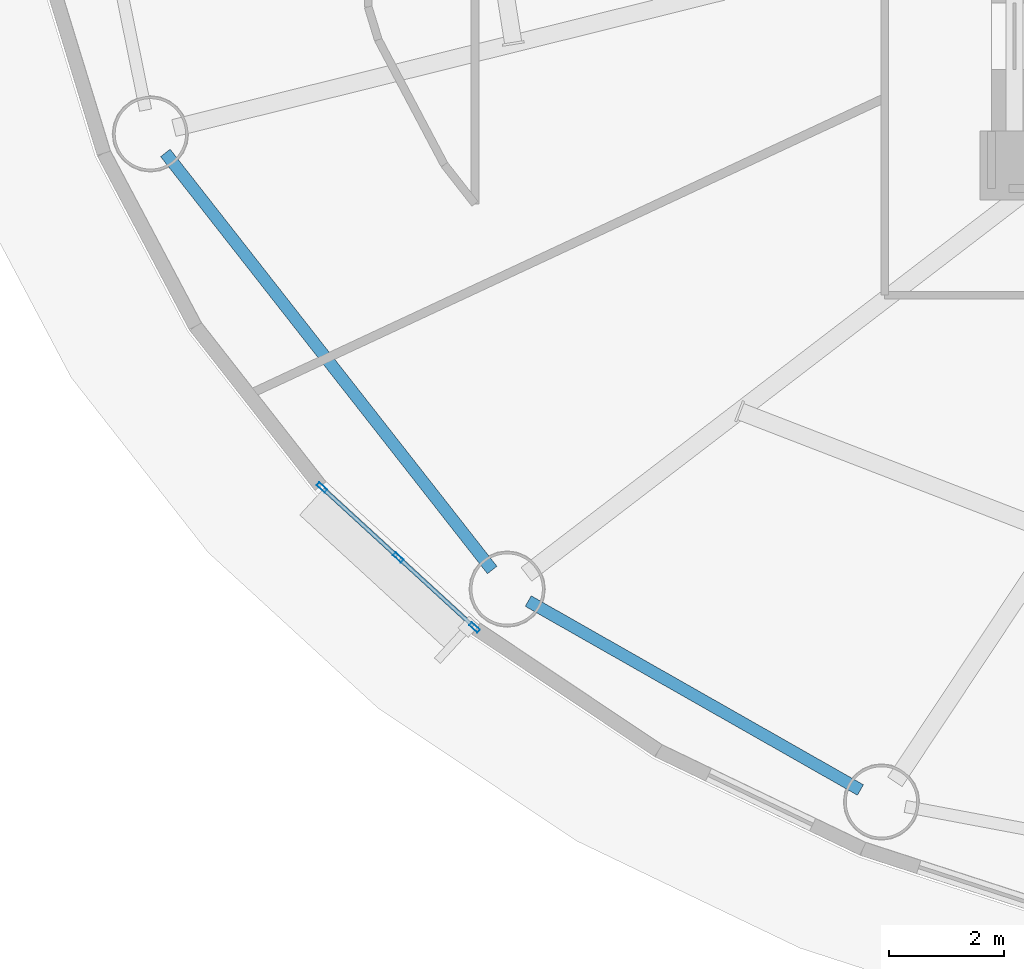
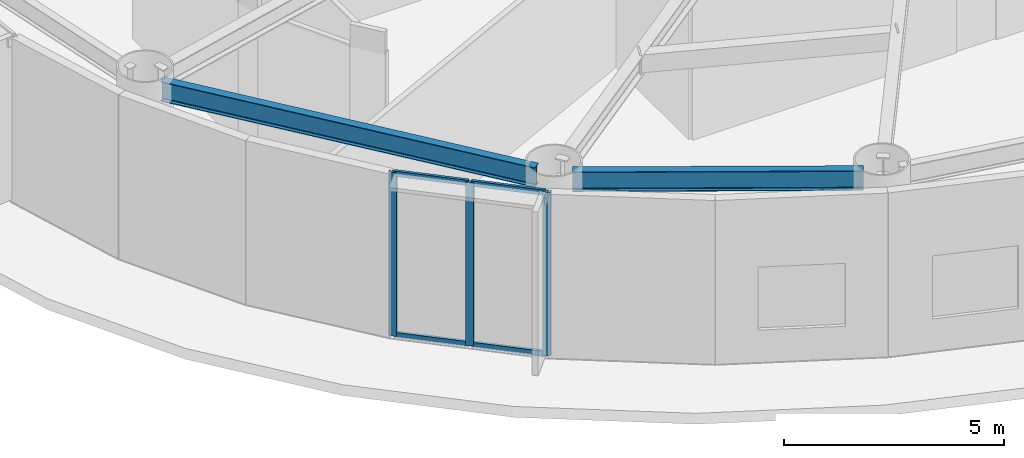
# One storey, part 4 of 38: 7 members, 2 beams, 1 element without a shape of its own.
"""IFC4 building model written with IfcOpenShell, lengths in metres."""

import ifcopenshell
import ifcopenshell.guid

model = None  # the IFC model being written
_history = None  # IfcOwnerHistory: only IFC2X3 demands one
_inside = {}  # id of a spatial element -> (the spatial element, [elements in it])
_under = {}  # id of a project, library or spatial element -> (it, [spatial elements below it])
_declared = {}  # id of a project -> (the project, [libraries it declares])
_typed = {}  # id of a type object -> (the type object, [elements of that type])
_made_of = {}  # id of a material, layer set ... -> (it, [elements and type objects made of it])


def new_model(schema):
    """Start an empty IFC model of exactly this schema.

    Asked for "IFC4X3", IfcOpenShell would pick the latest addendum, in which some entities
    have other attributes; the version numbers below select the first issue.
    IFC2X3 requires an IfcOwnerHistory on every rooted entity: one is made here for all.
    """
    global model, _history
    if schema == "IFC4X3":
        model = ifcopenshell.file(schema_version=(4, 3, 0, 0))
    else:
        model = ifcopenshell.file(schema=schema)
    _inside.clear()
    _under.clear()
    _declared.clear()
    _typed.clear()
    _made_of.clear()
    _history = None
    if model.schema == "IFC2X3":
        org = make("IfcOrganization", Name="unknown")
        user = make(
            "IfcPersonAndOrganization",
            ThePerson=make("IfcPerson", FamilyName="unknown"),
            TheOrganization=org,
        )
        app = make(
            "IfcApplication",
            ApplicationDeveloper=org,
            Version="unknown",
            ApplicationFullName="unknown",
            ApplicationIdentifier="unknown",
        )
        _history = make(
            "IfcOwnerHistory",
            OwningUser=user,
            OwningApplication=app,
            ChangeAction="ADDED",
            CreationDate=0,
        )
    return model


def make(cls, **values):
    """One entity of the class cls with the attributes given. An attribute that is None is left unset."""
    return model.create_entity(
        cls, **{name: value for name, value in values.items() if value is not None}
    )


def rooted(cls, **values):
    """An entity with a GlobalId (a new one), such as an element, a storey or a relation."""
    return make(cls, GlobalId=ifcopenshell.guid.new(), OwnerHistory=_history, **values)


def si_unit(unit_type, name, prefix=None):
    """IfcSIUnit, for example si_unit("LENGTHUNIT", "METRE", prefix="MILLI")."""
    return make("IfcSIUnit", UnitType=unit_type, Prefix=prefix, Name=name)


def assignment(units):
    """IfcUnitAssignment: the units of a project."""
    return None if units is None else make("IfcUnitAssignment", Units=units)


def point(xyz):
    """IfcCartesianPoint."""
    return None if xyz is None else make("IfcCartesianPoint", Coordinates=xyz)


def direction(xyz):
    """IfcDirection."""
    return None if xyz is None else make("IfcDirection", DirectionRatios=xyz)


def frame(location, z_axis=None, x_axis=None):
    """IfcAxis2Placement3D, a coordinate frame: its origin and axes. An axis left out is left unset."""
    return make(
        "IfcAxis2Placement3D",
        Location=point(location),
        Axis=direction(z_axis),
        RefDirection=direction(x_axis),
    )


def frame_2d(location, x_axis=None):
    """IfcAxis2Placement2D, a coordinate frame in the plane: its origin and x axis."""
    return make(
        "IfcAxis2Placement2D", Location=point(location), RefDirection=direction(x_axis)
    )


def origin():
    """The frame at (0, 0, 0) with its axes left unset."""
    return frame((0.0, 0.0, 0.0))


def origin_2d():
    """The frame at (0, 0) in the plane with its x axis left unset."""
    return frame_2d((0.0, 0.0))


def place(relative_to, where):
    """IfcLocalPlacement: puts the frame where relative to a parent placement (None: the world)."""
    return make(
        "IfcLocalPlacement", PlacementRelTo=relative_to, RelativePlacement=where
    )


def context(
    kind, dimensions, precision=None, world=None, true_north=None, identifier=None
):
    """IfcGeometricRepresentationContext, for example the 3D "Model" context."""
    return make(
        "IfcGeometricRepresentationContext",
        ContextIdentifier=identifier,
        ContextType=kind,
        CoordinateSpaceDimension=dimensions,
        Precision=precision,
        WorldCoordinateSystem=world,
        TrueNorth=true_north,
    )


def subcontext(parent, identifier, kind, view, scale=None):
    """IfcGeometricRepresentationSubContext, for example "Body" below "Model"."""
    return make(
        "IfcGeometricRepresentationSubContext",
        ContextIdentifier=identifier,
        ContextType=kind,
        ParentContext=parent,
        TargetScale=scale,
        TargetView=view,
    )


def project(units=None, contexts=None):
    """IfcProject with its units and contexts."""
    return rooted(
        "IfcProject",
        Name="project",
        RepresentationContexts=contexts,
        UnitsInContext=assignment(units),
    )


def spatial(cls, under=None, at=None, **own):
    """A site, building, storey or space (cls), placed at a placement, below another one or the project."""
    s = rooted(cls, ObjectPlacement=at, **own)
    if under is not None:
        _under.setdefault(under.id(), (under, []))[1].append(s)
    return s


def profile(cls, at=None, kind="AREA", **sizes):
    """A parametric profile (cls). Its sizes go by their IFC names, for example OverallWidth=200.0."""
    return make(cls, ProfileType=kind, Position=at, **sizes)


def hollow_rectangle(**sizes):
    """IfcRectangleHollowProfileDef."""
    return profile("IfcRectangleHollowProfileDef", **sizes)


def i_section(**sizes):
    """IfcIShapeProfileDef."""
    return profile("IfcIShapeProfileDef", **sizes)


def extrude(swept, where, along, depth):
    """IfcExtrudedAreaSolid: the profile swept, set in the frame where, extruded along a direction by depth."""
    return make(
        "IfcExtrudedAreaSolid",
        SweptArea=swept,
        Position=where,
        ExtrudedDirection=direction(along),
        Depth=depth,
    )


def shape(context_of_items, identifier, shape_type, items):
    """IfcShapeRepresentation: the items that make up one representation, for example the "Body"."""
    return make(
        "IfcShapeRepresentation",
        ContextOfItems=context_of_items,
        RepresentationIdentifier=identifier,
        RepresentationType=shape_type,
        Items=items,
    )


def source(mapping_origin, context_of_items, identifier, shape_type, items):
    """IfcRepresentationMap: a shape defined once, which mapped items show again and again."""
    return make(
        "IfcRepresentationMap",
        MappingOrigin=mapping_origin,
        MappedRepresentation=shape(context_of_items, identifier, shape_type, items),
    )


def transform(
    local_origin,
    x_axis=None,
    y_axis=None,
    z_axis=None,
    scale=None,
    scale2=None,
    scale3=None,
    uniform=True,
):
    """IfcCartesianTransformationOperator3D, or its non-uniform kind. x_axis, y_axis, z_axis: its Axis1, 2, 3."""
    if uniform:
        return make(
            "IfcCartesianTransformationOperator3D",
            Axis1=direction(x_axis),
            Axis2=direction(y_axis),
            LocalOrigin=point(local_origin),
            Scale=scale,
            Axis3=direction(z_axis),
        )
    return make(
        "IfcCartesianTransformationOperator3DnonUniform",
        Axis1=direction(x_axis),
        Axis2=direction(y_axis),
        LocalOrigin=point(local_origin),
        Scale=scale,
        Axis3=direction(z_axis),
        Scale2=scale2,
        Scale3=scale3,
    )


def mapped(mapping_source, mapping_target):
    """IfcMappedItem: shows the shape of a source again, moved by a transform."""
    return make(
        "IfcMappedItem", MappingSource=mapping_source, MappingTarget=mapping_target
    )


def material(Name=None, Category=None):
    """IfcMaterial."""
    return make("IfcMaterial", Name=Name, Category=Category)


def layer(
    of_material, thickness, ventilated=None, Name=None, Category=None, Priority=None
):
    """IfcMaterialLayer: one layer of a wall or slab, of a material (None: an air gap)."""
    return make(
        "IfcMaterialLayer",
        Material=of_material,
        LayerThickness=thickness,
        IsVentilated=ventilated,
        Name=Name,
        Category=Category,
        Priority=Priority,
    )


def layer_set(layers, Name=None):
    """IfcMaterialLayerSet."""
    return make("IfcMaterialLayerSet", MaterialLayers=layers, LayerSetName=Name)


def material_profile(
    of_material, cross_section, Name=None, Category=None, Priority=None
):
    """IfcMaterialProfile: a cross section and its material."""
    return make(
        "IfcMaterialProfile",
        Name=Name,
        Material=of_material,
        Profile=cross_section,
        Priority=Priority,
        Category=Category,
    )


def profile_set(profiles, Name=None, composite=None):
    """IfcMaterialProfileSet."""
    return make(
        "IfcMaterialProfileSet",
        Name=Name,
        MaterialProfiles=profiles,
        CompositeProfile=composite,
    )


def made_of(thing, what):
    """Note that an element or type object is made of a material, layer set ...; save() writes the relation."""
    if what is not None:
        _made_of.setdefault(what.id(), (what, []))[1].append(thing)
    return thing


def type_object(cls, material=None, **own):
    """A type object (cls), such as IfcWallType, which elements share."""
    return made_of(rooted(cls, **own), material)


def element(
    cls,
    number,
    at=None,
    inside=None,
    cuts=None,
    type_object=None,
    material=None,
    context=None,
    identifier="Body",
    shape_type=None,
    held_by="IfcProductDefinitionShape",
    body=None,
    shapes=None,
    **own,
):
    """One element of the class cls, such as IfcWall. Its Tag is "e" and its number.

    at: its placement. inside: the storey or other place that contains it. cuts: it is an
    opening in that element (IfcRelVoidsElement). A single representation is given by context,
    identifier, shape_type and body (its items); several are given by shapes. held_by: the class
    of the entity that holds the representations. save() writes the other relations.
    """
    e = rooted(cls, Tag="e%d" % number, ObjectPlacement=at, **own)
    if body is not None:
        shapes = [shape(context, identifier, shape_type, body)]
    if shapes is not None:
        e.Representation = make(held_by, Representations=shapes)
    if inside is not None:
        _inside.setdefault(inside.id(), (inside, []))[1].append(e)
    if cuts is not None:
        rooted(
            "IfcRelVoidsElement", RelatingBuildingElement=cuts, RelatedOpeningElement=e
        )
    if type_object is not None:
        _typed.setdefault(type_object.id(), (type_object, []))[1].append(e)
    return made_of(e, material)


def aggregate(whole, parts):
    """IfcRelAggregates: a whole, such as a stair, and the parts it consists of."""
    return rooted("IfcRelAggregates", RelatingObject=whole, RelatedObjects=parts)


def save(model, path):
    """Write the relations noted so far, then the file.

    IfcRelAggregates (storeys below a building ...), IfcRelContainedInSpatialStructure (elements
    in a storey), IfcRelDefinesByType, IfcRelAssociatesMaterial and IfcRelDeclares: one each for
    every whole, place, type object, material and project.
    """
    for whole, parts in _under.values():
        aggregate(whole, parts)
    for where, things in _inside.values():
        rooted(
            "IfcRelContainedInSpatialStructure",
            RelatedElements=things,
            RelatingStructure=where,
        )
    for kind, things in _typed.values():
        rooted("IfcRelDefinesByType", RelatedObjects=things, RelatingType=kind)
    for what, things in _made_of.values():
        rooted("IfcRelAssociatesMaterial", RelatedObjects=things, RelatingMaterial=what)
    for by, libraries in _declared.values():
        rooted("IfcRelDeclares", RelatingContext=by, RelatedDefinitions=libraries)
    model.write(path)


model = new_model("IFC4")

# Units and contexts
model_context = context("Model", 3, precision=1e-05, world=origin(), true_north=direction((0.0, 1.0)))
body_context = subcontext(model_context, "Body", "Model", "MODEL_VIEW")
ifc_project = project(units=[si_unit("LENGTHUNIT", "METRE"), si_unit("AREAUNIT", "SQUARE_METRE"), si_unit("VOLUMEUNIT", "CUBIC_METRE"), si_unit("PLANEANGLEUNIT", "RADIAN"), si_unit("MASSUNIT", "GRAM", prefix="KILO")], contexts=[model_context])

# Site, building, storey
site_placement = place(None, origin())
site = spatial("IfcSite", under=ifc_project, at=site_placement, CompositionType="ELEMENT")
building_placement = place(site_placement, origin())
building = spatial("IfcBuilding", under=site, at=building_placement, Name="Linh Dai School and Residence Tower", CompositionType="ELEMENT")
storey_placement = place(building_placement, frame((0.0, 0.0, 151.35009765625)))
storey = spatial("IfcBuildingStorey", under=building, at=storey_placement, Name="L36", CompositionType="ELEMENT", Elevation=151.35009765625)

# Beams
ifc_material_1 = material(Name="Structural Steel S355JR", Category="steel")
ifc_material_profile_1 = material_profile(ifc_material_1, i_section(OverallWidth=0.2099609375, OverallDepth=0.550048828125, WebThickness=0.010986328125, FlangeThickness=0.01708984375, FilletRadius=0.02392578125, at=origin_2d()), Name="IPE 550")
ifc_profile_set_1 = profile_set([ifc_material_profile_1], Name="Structural Steel S355JR")
beam_type = type_object("IfcBeamType", Name="BM-RB55", PredefinedType="BEAM", material=ifc_profile_set_1)
beam_1_placement = place(storey_placement, frame((11.884521484375, 20.61572265625, 4.27490234375), z_axis=(0.616852281883, -0.787078942887, 0.0), x_axis=(0.787078942887, 0.616852281883, 0.0)))
element("IfcBeam", 1, at=beam_1_placement, inside=storey, type_object=beam_type, Name="L36 Perimeter Elliptical Ring Beam 10", PredefinedType="BEAM", context=body_context, shape_type="SweptSolid", body=[
    extrude(i_section(OverallWidth=0.2099609375, OverallDepth=0.550048828125, WebThickness=0.010986328125, FlangeThickness=0.01708984375, FilletRadius=0.02392578125, at=origin_2d()), origin(), (0.0, 0.0, 1.0), 9.181884765625),
])
beam_2_placement = place(storey_placement, frame((18.172607421875, 12.8505859375, 4.27490234375), z_axis=(0.869262164011, -0.49435138335, 0.0), x_axis=(0.49435138335, 0.869262164011, 0.0)))
element("IfcBeam", 2, at=beam_2_placement, inside=storey, type_object=beam_type, Name="L36 Perimeter Elliptical Ring Beam 11", PredefinedType="BEAM", context=body_context, shape_type="SweptSolid", body=[
    extrude(i_section(OverallWidth=0.2099609375, OverallDepth=0.550048828125, WebThickness=0.010986328125, FlangeThickness=0.01708984375, FilletRadius=0.02392578125, at=origin_2d()), origin(), (0.0, 0.0, 1.0), 6.62255859375),
])

# Curtain wall, members
ifc_material_2 = material(Name="Aluminium Anodised Curtain Wall", Category="aluminium")
ifc_layer = layer(ifc_material_2, 0.18994140625)
ifc_layer_set = layer_set([ifc_layer], Name="Aluminium Anodised Curtain Wall")
curtain_wall_type = type_object("IfcCurtainWallType", Name="CW-SYS-5", PredefinedType="USERDEFINED", material=ifc_layer_set)
curtain_wall_placement = place(storey_placement, origin())
curtain_wall = element("IfcCurtainWall", 3, at=curtain_wall_placement, inside=storey, type_object=curtain_wall_type, Name="L36 CW5 Curtain Wall 25", ObjectType="UNITISED CURTAIN WALL", PredefinedType="USERDEFINED")
ifc_material_3 = material(Name="Aluminium Alloy 6063-T6", Category="aluminium")
ifc_material_profile_2 = material_profile(ifc_material_3, hollow_rectangle(XDim=0.070068359375, YDim=0.18994140625, WallThickness=0.00390625, at=origin_2d()), Name="RHS 190x70x4")
ifc_profile_set_2 = profile_set([ifc_material_profile_2], Name="Aluminium Alloy 6063-T6")
member_type_1 = type_object("IfcMemberType", Name="CW-SYS-5-MUL", PredefinedType="MULLION", material=ifc_profile_set_2)
shared_shape_1 = source(origin(), body_context, "Body", "SweptSolid", [
    extrude(hollow_rectangle(XDim=0.070068359375, YDim=0.18994140625, WallThickness=0.00390625, at=origin_2d()), origin(), (0.0, 0.0, 1.0), 4.5498046875),
])
member_1_placement = place(storey_placement, frame((17.2421875, 12.39306640625, 0.0), z_axis=(0.0, 0.0, 1.0), x_axis=(-0.67580001435, -0.737085029426, 0.0)))
member_1 = element("IfcMember", 4, at=member_1_placement, type_object=member_type_1, Name="CW5 mullion 1", PredefinedType="MULLION", context=body_context, shape_type="MappedRepresentation", body=[
    mapped(shared_shape_1, transform((0.0, 0.0, 0.0), x_axis=(1.0, 0.0, 0.0), y_axis=(0.0, 1.0, 0.0), z_axis=(0.0, 0.0, 1.0), scale=1.0)),
])
member_2_placement = place(storey_placement, frame((15.919921875, 13.60546875, 0.0), z_axis=(0.0, 0.0, 1.0), x_axis=(-0.67580001435, -0.737085029426, 0.0)))
member_2 = element("IfcMember", 5, at=member_2_placement, type_object=member_type_1, Name="CW5 mullion 2", PredefinedType="MULLION", context=body_context, shape_type="MappedRepresentation", body=[
    mapped(shared_shape_1, transform((0.0, 0.0, 0.0), x_axis=(1.0, 0.0, 0.0), y_axis=(0.0, 1.0, 0.0), z_axis=(0.0, 0.0, 1.0), scale=1.0)),
])
member_3_placement = place(storey_placement, frame((14.59765625, 14.81787109375, 0.0), z_axis=(0.0, 0.0, 1.0), x_axis=(-0.67580001435, -0.737085029426, 0.0)))
member_3 = element("IfcMember", 6, at=member_3_placement, type_object=member_type_1, Name="CW5 mullion 3", PredefinedType="MULLION", context=body_context, shape_type="MappedRepresentation", body=[
    mapped(shared_shape_1, transform((0.0, 0.0, 0.0), x_axis=(1.0, 0.0, 0.0), y_axis=(0.0, 1.0, 0.0), z_axis=(0.0, 0.0, 1.0), scale=1.0)),
])
ifc_material_profile_3 = material_profile(ifc_material_3, hollow_rectangle(XDim=0.070068359375, YDim=0.14990234375, WallThickness=0.00390625, at=origin_2d()), Name="RHS 150x70x4")
ifc_profile_set_3 = profile_set([ifc_material_profile_3], Name="Aluminium Alloy 6063-T6")
member_type_2 = type_object("IfcMemberType", Name="CW-SYS-5-TRN", PredefinedType="USERDEFINED", material=ifc_profile_set_3)
shared_shape_2 = source(origin(), body_context, "Body", "SweptSolid", [
    extrude(hollow_rectangle(XDim=0.070068359375, YDim=0.14990234375, WallThickness=0.00390625, at=origin_2d()), origin(), (0.0, 0.0, 1.0), 1.723876953125),
])
member_4_placement = place(storey_placement, frame((17.216552734375, 12.416748046875, 0.034912109375), z_axis=(-0.737101233063, 0.67578234086, 0.0), x_axis=(-0.67578234086, -0.737101233063, 0.0)))
member_4 = element("IfcMember", 7, at=member_4_placement, type_object=member_type_2, Name="CW5 transom 1.1", ObjectType="TRANSOM", PredefinedType="USERDEFINED", context=body_context, shape_type="MappedRepresentation", body=[
    mapped(shared_shape_2, transform((0.0, 0.0, 0.0), x_axis=(1.0, 0.0, 0.0), y_axis=(0.0, 1.0, 0.0), z_axis=(0.0, 0.0, 1.0), scale=1.0)),
])
member_5_placement = place(storey_placement, frame((17.216552734375, 12.416748046875, 4.514892578125), z_axis=(-0.737101233063, 0.67578234086, 0.0), x_axis=(-0.67578234086, -0.737101233063, 0.0)))
member_5 = element("IfcMember", 8, at=member_5_placement, type_object=member_type_2, Name="CW5 transom 1.2", ObjectType="TRANSOM", PredefinedType="USERDEFINED", context=body_context, shape_type="MappedRepresentation", body=[
    mapped(shared_shape_2, transform((0.0, 0.0, 0.0), x_axis=(1.0, 0.0, 0.0), y_axis=(0.0, 1.0, 0.0), z_axis=(0.0, 0.0, 1.0), scale=1.0)),
])
member_6_placement = place(storey_placement, frame((15.89404296875, 13.629150390625, 0.034912109375), z_axis=(-0.737101233063, 0.67578234086, 0.0), x_axis=(-0.67578234086, -0.737101233063, 0.0)))
member_6 = element("IfcMember", 9, at=member_6_placement, type_object=member_type_2, Name="CW5 transom 2.1", ObjectType="TRANSOM", PredefinedType="USERDEFINED", context=body_context, shape_type="MappedRepresentation", body=[
    mapped(shared_shape_2, transform((0.0, 0.0, 0.0), x_axis=(1.0, 0.0, 0.0), y_axis=(0.0, 1.0, 0.0), z_axis=(0.0, 0.0, 1.0), scale=1.0)),
])
member_7_placement = place(storey_placement, frame((15.89404296875, 13.629150390625, 4.514892578125), z_axis=(-0.737101233063, 0.67578234086, 0.0), x_axis=(-0.67578234086, -0.737101233063, 0.0)))
member_7 = element("IfcMember", 10, at=member_7_placement, type_object=member_type_2, Name="CW5 transom 2.2", ObjectType="TRANSOM", PredefinedType="USERDEFINED", context=body_context, shape_type="MappedRepresentation", body=[
    mapped(shared_shape_2, transform((0.0, 0.0, 0.0), x_axis=(1.0, 0.0, 0.0), y_axis=(0.0, 1.0, 0.0), z_axis=(0.0, 0.0, 1.0), scale=1.0)),
])
aggregate(curtain_wall, [member_1, member_2, member_3, member_4, member_5, member_6, member_7])

save(model, "model.ifc")
